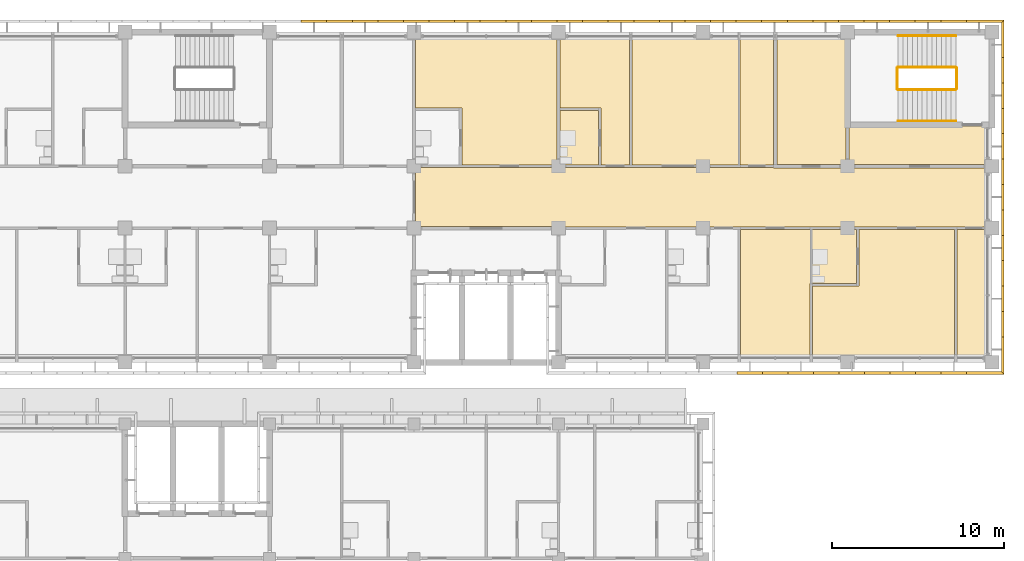
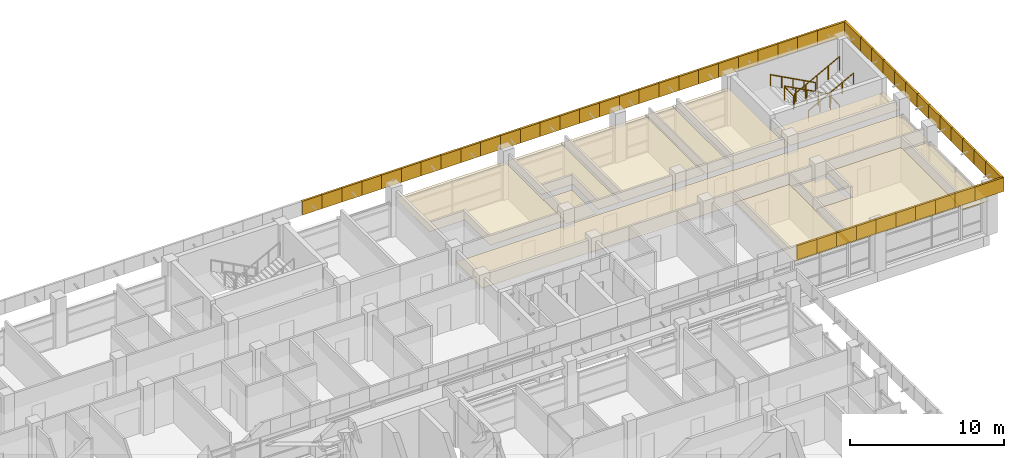
# One storey, part 70 of 71: 62 coverings, 6 railings.
"""IFC4 building model written with IfcOpenShell, lengths in metres."""

from ifc_helpers import new_model, si_unit, direction, frame, origin, origin_2d, place, context, subcontext, project, spatial, polyline, circle, outline, extrude, material, layer, layer_set, type_object, element, save


model = new_model("IFC4")

# Units and contexts
model_context = context("Model", 3, precision=1e-05, world=origin(), true_north=direction((0.0, 1.0)))
body_context = subcontext(model_context, "Body", "Model", "MODEL_VIEW")
ifc_project = project(units=[si_unit("LENGTHUNIT", "METRE"), si_unit("AREAUNIT", "SQUARE_METRE"), si_unit("VOLUMEUNIT", "CUBIC_METRE"), si_unit("PLANEANGLEUNIT", "RADIAN"), si_unit("MASSUNIT", "GRAM", prefix="KILO")], contexts=[model_context])

# Site, building, storey
site_placement = place(None, origin())
site = spatial("IfcSite", under=ifc_project, at=site_placement, CompositionType="ELEMENT")
building_placement = place(site_placement, origin())
building = spatial("IfcBuilding", under=site, at=building_placement, Name="Bougainvillea Quay General Hospital", CompositionType="ELEMENT")
storey_placement = place(building_placement, frame((0.0, 0.0, 24.89990234375)))
storey = spatial("IfcBuildingStorey", under=building, at=storey_placement, Name="L05", CompositionType="ELEMENT", Elevation=24.89990234375)

# Coverings
ifc_material_1 = material(Name="Powder-coated aluminium fascia, white", Category="aluminium")
ifc_layer_1 = layer(ifc_material_1, 0.14990234375)
ifc_layer_set_1 = layer_set([ifc_layer_1], Name="Powder-coated aluminium fascia, white")
covering_type_1 = type_object("IfcCoveringType", Name="Aluminium fascia band white 150x1100", PredefinedType="CLADDING", material=ifc_layer_set_1)
covering_1_placement = place(storey_placement, frame((185.35009765625, 160.14990234375, 3.35009765625), z_axis=(0.0, 0.0, 1.0), x_axis=(-1.0, 0.0, 0.0)))
element("IfcCovering", 1, at=covering_1_placement, inside=storey, type_object=covering_type_1, Name="Fascia band white e0 1", PredefinedType="CLADDING", context=body_context, shape_type="SweptSolid", body=[
    extrude(outline(polyline([(0.0, 0.0), (2.03759765625, 0.0), (2.03759765625, -0.150146484375), (-0.14990234375, -0.150146484375), (0.0, 0.0)])), origin(), (0.0, 0.0, 1.0), 1.10009765625),
])
for number, where, z_axis, x_axis, name in (
    (2, (183.3125, 160.14990234375, 3.35009765625), (0.0, 0.0, 1.0), (-1.0, 0.0, 0.0), "Fascia band white e0 2"),
    (3, (181.824951171875, 160.14990234375, 3.35009765625), (0.0, 0.0, 1.0), (-1.0, 0.0, 0.0), "Fascia band white e0 3"),
):
    element("IfcCovering", number, at=place(storey_placement, frame(where, z_axis=z_axis, x_axis=x_axis)), inside=storey, type_object=covering_type_1, Name=name, PredefinedType="CLADDING", context=body_context, shape_type="SweptSolid", body=[
        extrude(outline(polyline([(0.0, 0.0), (1.487548828125, 0.0), (1.487548828125, -0.150146484375), (0.0, -0.150146484375), (0.0, 0.0)])), origin(), (0.0, 0.0, 1.0), 1.10009765625),
    ])
covering_2_placement = place(storey_placement, frame((180.33740234375, 160.14990234375, 3.35009765625), z_axis=(0.0, 0.0, 1.0), x_axis=(-1.0, 0.0, 0.0)))
element("IfcCovering", 4, at=covering_2_placement, inside=storey, type_object=covering_type_1, Name="Fascia band white e0 4", PredefinedType="CLADDING", context=body_context, shape_type="SweptSolid", body=[
    extrude(outline(polyline([(0.0, 0.0), (1.4873046875, 0.0), (1.4873046875, -0.150146484375), (0.0, -0.150146484375), (0.0, 0.0)])), origin(), (0.0, 0.0, 1.0), 1.10009765625),
])
for number, where, z_axis, x_axis, name in (
    (5, (178.85009765625, 160.14990234375, 3.35009765625), (0.0, 0.0, 1.0), (-1.0, 0.0, 0.0), "Fascia band white e0 5"),
    (6, (177.362548828125, 160.14990234375, 3.35009765625), (0.0, 0.0, 1.0), (-1.0, 0.0, 0.0), "Fascia band white e0 6"),
    (7, (175.875, 160.14990234375, 3.35009765625), (0.0, 0.0, 1.0), (-1.0, 0.0, 0.0), "Fascia band white e0 7"),
    (8, (174.387451171875, 160.14990234375, 3.35009765625), (0.0, 0.0, 1.0), (-1.0, 0.0, 0.0), "Fascia band white e0 8"),
):
    element("IfcCovering", number, at=place(storey_placement, frame(where, z_axis=z_axis, x_axis=x_axis)), inside=storey, type_object=covering_type_1, Name=name, PredefinedType="CLADDING", context=body_context, shape_type="SweptSolid", body=[
        extrude(outline(polyline([(0.0, 0.0), (1.487548828125, 0.0), (1.487548828125, -0.150146484375), (0.0, -0.150146484375), (0.0, 0.0)])), origin(), (0.0, 0.0, 1.0), 1.10009765625),
    ])
covering_3_placement = place(storey_placement, frame((172.89990234375, 160.14990234375, 3.35009765625), z_axis=(0.0, 0.0, 1.0), x_axis=(-1.0, 0.0, 0.0)))
element("IfcCovering", 9, at=covering_3_placement, inside=storey, type_object=covering_type_1, Name="Fascia band white e0 9", PredefinedType="CLADDING", context=body_context, shape_type="SweptSolid", body=[
    extrude(outline(polyline([(0.0, 0.0), (1.4873046875, 0.0), (1.4873046875, -0.150146484375), (0.0, -0.150146484375), (0.0, 0.0)])), origin(), (0.0, 0.0, 1.0), 1.10009765625),
])
for number, where, z_axis, x_axis, name in (
    (10, (171.41259765625, 160.14990234375, 3.35009765625), (0.0, 0.0, 1.0), (-1.0, 0.0, 0.0), "Fascia band white e0 10"),
    (11, (169.925048828125, 160.14990234375, 3.35009765625), (0.0, 0.0, 1.0), (-1.0, 0.0, 0.0), "Fascia band white e0 11"),
    (12, (168.4375, 160.14990234375, 3.35009765625), (0.0, 0.0, 1.0), (-1.0, 0.0, 0.0), "Fascia band white e0 12"),
    (13, (166.949951171875, 160.14990234375, 3.35009765625), (0.0, 0.0, 1.0), (-1.0, 0.0, 0.0), "Fascia band white e0 13"),
):
    element("IfcCovering", number, at=place(storey_placement, frame(where, z_axis=z_axis, x_axis=x_axis)), inside=storey, type_object=covering_type_1, Name=name, PredefinedType="CLADDING", context=body_context, shape_type="SweptSolid", body=[
        extrude(outline(polyline([(0.0, 0.0), (1.487548828125, 0.0), (1.487548828125, -0.150146484375), (0.0, -0.150146484375), (0.0, 0.0)])), origin(), (0.0, 0.0, 1.0), 1.10009765625),
    ])
covering_4_placement = place(storey_placement, frame((165.46240234375, 160.14990234375, 3.35009765625), z_axis=(0.0, 0.0, 1.0), x_axis=(-1.0, 0.0, 0.0)))
element("IfcCovering", 14, at=covering_4_placement, inside=storey, type_object=covering_type_1, Name="Fascia band white e0 14", PredefinedType="CLADDING", context=body_context, shape_type="SweptSolid", body=[
    extrude(outline(polyline([(0.0, 0.0), (1.4873046875, 0.0), (1.4873046875, -0.150146484375), (0.0, -0.150146484375), (0.0, 0.0)])), origin(), (0.0, 0.0, 1.0), 1.10009765625),
])
for number, where, z_axis, x_axis, name in (
    (15, (163.97509765625, 160.14990234375, 3.35009765625), (0.0, 0.0, 1.0), (-1.0, 0.0, 0.0), "Fascia band white e0 15"),
    (16, (162.487548828125, 160.14990234375, 3.35009765625), (0.0, 0.0, 1.0), (-1.0, 0.0, 0.0), "Fascia band white e0 16"),
    (17, (161.0, 160.14990234375, 3.35009765625), (0.0, 0.0, 1.0), (-1.0, 0.0, 0.0), "Fascia band white e0 17"),
    (18, (159.512451171875, 160.14990234375, 3.35009765625), (0.0, 0.0, 1.0), (-1.0, 0.0, 0.0), "Fascia band white e0 18"),
):
    element("IfcCovering", number, at=place(storey_placement, frame(where, z_axis=z_axis, x_axis=x_axis)), inside=storey, type_object=covering_type_1, Name=name, PredefinedType="CLADDING", context=body_context, shape_type="SweptSolid", body=[
        extrude(outline(polyline([(0.0, 0.0), (1.487548828125, 0.0), (1.487548828125, -0.150146484375), (0.0, -0.150146484375), (0.0, 0.0)])), origin(), (0.0, 0.0, 1.0), 1.10009765625),
    ])
covering_5_placement = place(storey_placement, frame((158.02490234375, 160.14990234375, 3.35009765625), z_axis=(0.0, 0.0, 1.0), x_axis=(-1.0, 0.0, 0.0)))
element("IfcCovering", 19, at=covering_5_placement, inside=storey, type_object=covering_type_1, Name="Fascia band white e0 19", PredefinedType="CLADDING", context=body_context, shape_type="SweptSolid", body=[
    extrude(outline(polyline([(0.0, 0.0), (1.4873046875, 0.0), (1.4873046875, -0.150146484375), (0.0, -0.150146484375), (0.0, 0.0)])), origin(), (0.0, 0.0, 1.0), 1.10009765625),
])
for number, where, z_axis, x_axis, name in (
    (20, (156.53759765625, 160.14990234375, 3.35009765625), (0.0, 0.0, 1.0), (-1.0, 0.0, 0.0), "Fascia band white e0 20"),
    (21, (155.050048828125, 160.14990234375, 3.35009765625), (0.0, 0.0, 1.0), (-1.0, 0.0, 0.0), "Fascia band white e0 21"),
    (22, (153.5625, 160.14990234375, 3.35009765625), (0.0, 0.0, 1.0), (-1.0, 0.0, 0.0), "Fascia band white e0 22"),
    (23, (152.074951171875, 160.14990234375, 3.35009765625), (0.0, 0.0, 1.0), (-1.0, 0.0, 0.0), "Fascia band white e0 23"),
):
    element("IfcCovering", number, at=place(storey_placement, frame(where, z_axis=z_axis, x_axis=x_axis)), inside=storey, type_object=covering_type_1, Name=name, PredefinedType="CLADDING", context=body_context, shape_type="SweptSolid", body=[
        extrude(outline(polyline([(0.0, 0.0), (1.487548828125, 0.0), (1.487548828125, -0.150146484375), (0.0, -0.150146484375), (0.0, 0.0)])), origin(), (0.0, 0.0, 1.0), 1.10009765625),
    ])
covering_6_placement = place(storey_placement, frame((150.58740234375, 160.14990234375, 3.35009765625), z_axis=(0.0, 0.0, 1.0), x_axis=(-1.0, 0.0, 0.0)))
element("IfcCovering", 24, at=covering_6_placement, inside=storey, type_object=covering_type_1, Name="Fascia band white e0 24", PredefinedType="CLADDING", context=body_context, shape_type="SweptSolid", body=[
    extrude(outline(polyline([(0.0, 0.0), (1.4873046875, 0.0), (1.4873046875, -0.150146484375), (0.0, -0.150146484375), (0.0, 0.0)])), origin(), (0.0, 0.0, 1.0), 1.10009765625),
])
for number, where, z_axis, x_axis, name in (
    (25, (149.10009765625, 160.14990234375, 3.35009765625), (0.0, 0.0, 1.0), (-1.0, 0.0, 0.0), "Fascia band white e0 25"),
    (26, (147.612548828125, 160.14990234375, 3.35009765625), (0.0, 0.0, 1.0), (-1.0, 0.0, 0.0), "Fascia band white e0 26"),
    (27, (146.125, 160.14990234375, 3.35009765625), (0.0, 0.0, 1.0), (-1.0, 0.0, 0.0), "Fascia band white e0 27"),
):
    element("IfcCovering", number, at=place(storey_placement, frame(where, z_axis=z_axis, x_axis=x_axis)), inside=storey, type_object=covering_type_1, Name=name, PredefinedType="CLADDING", context=body_context, shape_type="SweptSolid", body=[
        extrude(outline(polyline([(0.0, 0.0), (1.487548828125, 0.0), (1.487548828125, -0.150146484375), (0.0, -0.150146484375), (0.0, 0.0)])), origin(), (0.0, 0.0, 1.0), 1.10009765625),
    ])
covering_7_placement = place(storey_placement, frame((169.9765625, 139.85009765625, 3.35009765625), z_axis=(0.0, 0.0, 1.0), x_axis=(1.0, 0.0, 0.0)))
element("IfcCovering", 28, at=covering_7_placement, inside=storey, type_object=covering_type_1, Name="Fascia band white e0 213", PredefinedType="CLADDING", context=body_context, shape_type="SweptSolid", body=[
    extrude(outline(polyline([(0.0, 0.0), (1.482177734375, 0.0), (1.482177734375, -0.150146484375), (0.0, -0.150146484375), (0.0, 0.0)])), origin(), (0.0, 0.0, 1.0), 1.10009765625),
])
for number, where, z_axis, x_axis, name in (
    (29, (171.458740234375, 139.85009765625, 3.35009765625), (0.0, 0.0, 1.0), (1.0, 0.0, 0.0), "Fascia band white e0 214"),
    (30, (172.941162109375, 139.85009765625, 3.35009765625), (0.0, 0.0, 1.0), (1.0, 0.0, 0.0), "Fascia band white e0 215"),
):
    element("IfcCovering", number, at=place(storey_placement, frame(where, z_axis=z_axis, x_axis=x_axis)), inside=storey, type_object=covering_type_1, Name=name, PredefinedType="CLADDING", context=body_context, shape_type="SweptSolid", body=[
        extrude(outline(polyline([(0.0, 0.0), (1.482421875, 0.0), (1.482421875, -0.150146484375), (0.0, -0.150146484375), (0.0, 0.0)])), origin(), (0.0, 0.0, 1.0), 1.10009765625),
    ])
covering_8_placement = place(storey_placement, frame((174.423583984375, 139.85009765625, 3.35009765625), z_axis=(0.0, 0.0, 1.0), x_axis=(1.0, 0.0, 0.0)))
element("IfcCovering", 31, at=covering_8_placement, inside=storey, type_object=covering_type_1, Name="Fascia band white e0 216", PredefinedType="CLADDING", context=body_context, shape_type="SweptSolid", body=[
    extrude(outline(polyline([(0.0, 0.0), (1.482177734375, 0.0), (1.482177734375, -0.150146484375), (0.0, -0.150146484375), (0.0, 0.0)])), origin(), (0.0, 0.0, 1.0), 1.10009765625),
])
for number, where, z_axis, x_axis, name in (
    (32, (175.90576171875, 139.85009765625, 3.35009765625), (0.0, 0.0, 1.0), (1.0, 0.0, 0.0), "Fascia band white e0 217"),
    (33, (177.38818359375, 139.85009765625, 3.35009765625), (0.0, 0.0, 1.0), (1.0, 0.0, 0.0), "Fascia band white e0 218"),
    (34, (178.87060546875, 139.85009765625, 3.35009765625), (0.0, 0.0, 1.0), (1.0, 0.0, 0.0), "Fascia band white e0 219"),
):
    element("IfcCovering", number, at=place(storey_placement, frame(where, z_axis=z_axis, x_axis=x_axis)), inside=storey, type_object=covering_type_1, Name=name, PredefinedType="CLADDING", context=body_context, shape_type="SweptSolid", body=[
        extrude(outline(polyline([(0.0, 0.0), (1.482421875, 0.0), (1.482421875, -0.150146484375), (0.0, -0.150146484375), (0.0, 0.0)])), origin(), (0.0, 0.0, 1.0), 1.10009765625),
    ])
covering_9_placement = place(storey_placement, frame((180.35302734375, 139.85009765625, 3.35009765625), z_axis=(0.0, 0.0, 1.0), x_axis=(1.0, 0.0, 0.0)))
element("IfcCovering", 35, at=covering_9_placement, inside=storey, type_object=covering_type_1, Name="Fascia band white e0 220", PredefinedType="CLADDING", context=body_context, shape_type="SweptSolid", body=[
    extrude(outline(polyline([(0.0, 0.0), (1.482177734375, 0.0), (1.482177734375, -0.150146484375), (0.0, -0.150146484375), (0.0, 0.0)])), origin(), (0.0, 0.0, 1.0), 1.10009765625),
])
covering_10_placement = place(storey_placement, frame((181.835205078125, 139.85009765625, 3.35009765625), z_axis=(0.0, 0.0, 1.0), x_axis=(1.0, 0.0, 0.0)))
element("IfcCovering", 36, at=covering_10_placement, inside=storey, type_object=covering_type_1, Name="Fascia band white e0 221", PredefinedType="CLADDING", context=body_context, shape_type="SweptSolid", body=[
    extrude(outline(polyline([(0.0, 0.0), (1.482421875, 0.0), (1.482421875, -0.150146484375), (0.0, -0.150146484375), (0.0, 0.0)])), origin(), (0.0, 0.0, 1.0), 1.10009765625),
])
covering_11_placement = place(storey_placement, frame((183.317626953125, 139.85009765625, 3.35009765625), z_axis=(0.0, 0.0, 1.0), x_axis=(1.0, 0.0, 0.0)))
element("IfcCovering", 37, at=covering_11_placement, inside=storey, type_object=covering_type_1, Name="Fascia band white e0 222", PredefinedType="CLADDING", context=body_context, shape_type="SweptSolid", body=[
    extrude(outline(polyline([(0.0, 0.0), (2.032470703125, 0.0), (2.182373046875, -0.150146484375), (0.0, -0.150146484375), (0.0, 0.0)])), origin(), (0.0, 0.0, 1.0), 1.10009765625),
])
covering_12_placement = place(storey_placement, frame((185.35009765625, 139.85009765625, 3.35009765625), z_axis=(0.0, 0.0, 1.0), x_axis=(0.0, 1.0, 0.0)))
element("IfcCovering", 38, at=covering_12_placement, inside=storey, type_object=covering_type_1, Name="Fascia band white e0 223", PredefinedType="CLADDING", context=body_context, shape_type="SweptSolid", body=[
    extrude(outline(polyline([(0.0, 0.0), (2.02685546875, 0.0), (2.02685546875, -0.14990234375), (-0.150146484375, -0.14990234375), (0.0, 0.0)])), origin(), (0.0, 0.0, 1.0), 1.10009765625),
])
covering_13_placement = place(storey_placement, frame((185.35009765625, 141.876953125, 3.35009765625), z_axis=(0.0, 0.0, 1.0), x_axis=(0.0, 1.0, 0.0)))
element("IfcCovering", 39, at=covering_13_placement, inside=storey, type_object=covering_type_1, Name="Fascia band white e0 224", PredefinedType="CLADDING", context=body_context, shape_type="SweptSolid", body=[
    extrude(outline(polyline([(0.0, 0.0), (1.476806640625, 0.0), (1.476806640625, -0.14990234375), (0.0, -0.14990234375), (0.0, 0.0)])), origin(), (0.0, 0.0, 1.0), 1.10009765625),
])
covering_14_placement = place(storey_placement, frame((185.35009765625, 143.353759765625, 3.35009765625), z_axis=(0.0, 0.0, 1.0), x_axis=(0.0, 1.0, 0.0)))
element("IfcCovering", 40, at=covering_14_placement, inside=storey, type_object=covering_type_1, Name="Fascia band white e0 225", PredefinedType="CLADDING", context=body_context, shape_type="SweptSolid", body=[
    extrude(outline(polyline([(0.0, 0.0), (1.47705078125, 0.0), (1.47705078125, -0.14990234375), (0.0, -0.14990234375), (0.0, 0.0)])), origin(), (0.0, 0.0, 1.0), 1.10009765625),
])
covering_15_placement = place(storey_placement, frame((185.35009765625, 144.830810546875, 3.35009765625), z_axis=(0.0, 0.0, 1.0), x_axis=(0.0, 1.0, 0.0)))
element("IfcCovering", 41, at=covering_15_placement, inside=storey, type_object=covering_type_1, Name="Fascia band white e0 226", PredefinedType="CLADDING", context=body_context, shape_type="SweptSolid", body=[
    extrude(outline(polyline([(0.0, 0.0), (1.476806640625, 0.0), (1.476806640625, -0.14990234375), (0.0, -0.14990234375), (0.0, 0.0)])), origin(), (0.0, 0.0, 1.0), 1.10009765625),
])
covering_16_placement = place(storey_placement, frame((185.35009765625, 146.3076171875, 3.35009765625), z_axis=(0.0, 0.0, 1.0), x_axis=(0.0, 1.0, 0.0)))
element("IfcCovering", 42, at=covering_16_placement, inside=storey, type_object=covering_type_1, Name="Fascia band white e0 227", PredefinedType="CLADDING", context=body_context, shape_type="SweptSolid", body=[
    extrude(outline(polyline([(0.0, 0.0), (1.47705078125, 0.0), (1.47705078125, -0.14990234375), (0.0, -0.14990234375), (0.0, 0.0)])), origin(), (0.0, 0.0, 1.0), 1.10009765625),
])
covering_17_placement = place(storey_placement, frame((185.35009765625, 147.78466796875, 3.35009765625), z_axis=(0.0, 0.0, 1.0), x_axis=(0.0, 1.0, 0.0)))
element("IfcCovering", 43, at=covering_17_placement, inside=storey, type_object=covering_type_1, Name="Fascia band white e0 228", PredefinedType="CLADDING", context=body_context, shape_type="SweptSolid", body=[
    extrude(outline(polyline([(0.0, 0.0), (1.476806640625, 0.0), (1.476806640625, -0.14990234375), (0.0, -0.14990234375), (0.0, 0.0)])), origin(), (0.0, 0.0, 1.0), 1.10009765625),
])
covering_18_placement = place(storey_placement, frame((185.35009765625, 149.261474609375, 3.35009765625), z_axis=(0.0, 0.0, 1.0), x_axis=(0.0, 1.0, 0.0)))
element("IfcCovering", 44, at=covering_18_placement, inside=storey, type_object=covering_type_1, Name="Fascia band white e0 229", PredefinedType="CLADDING", context=body_context, shape_type="SweptSolid", body=[
    extrude(outline(polyline([(0.0, 0.0), (1.47705078125, 0.0), (1.47705078125, -0.14990234375), (0.0, -0.14990234375), (0.0, 0.0)])), origin(), (0.0, 0.0, 1.0), 1.10009765625),
])
covering_19_placement = place(storey_placement, frame((185.35009765625, 150.738525390625, 3.35009765625), z_axis=(0.0, 0.0, 1.0), x_axis=(0.0, 1.0, 0.0)))
element("IfcCovering", 45, at=covering_19_placement, inside=storey, type_object=covering_type_1, Name="Fascia band white e0 230", PredefinedType="CLADDING", context=body_context, shape_type="SweptSolid", body=[
    extrude(outline(polyline([(0.0, 0.0), (1.476806640625, 0.0), (1.476806640625, -0.14990234375), (0.0, -0.14990234375), (0.0, 0.0)])), origin(), (0.0, 0.0, 1.0), 1.10009765625),
])
covering_20_placement = place(storey_placement, frame((185.35009765625, 152.21533203125, 3.35009765625), z_axis=(0.0, 0.0, 1.0), x_axis=(0.0, 1.0, 0.0)))
element("IfcCovering", 46, at=covering_20_placement, inside=storey, type_object=covering_type_1, Name="Fascia band white e0 231", PredefinedType="CLADDING", context=body_context, shape_type="SweptSolid", body=[
    extrude(outline(polyline([(0.0, 0.0), (1.47705078125, 0.0), (1.47705078125, -0.14990234375), (0.0, -0.14990234375), (0.0, 0.0)])), origin(), (0.0, 0.0, 1.0), 1.10009765625),
])
covering_21_placement = place(storey_placement, frame((185.35009765625, 153.6923828125, 3.35009765625), z_axis=(0.0, 0.0, 1.0), x_axis=(0.0, 1.0, 0.0)))
element("IfcCovering", 47, at=covering_21_placement, inside=storey, type_object=covering_type_1, Name="Fascia band white e0 232", PredefinedType="CLADDING", context=body_context, shape_type="SweptSolid", body=[
    extrude(outline(polyline([(0.0, 0.0), (1.476806640625, 0.0), (1.476806640625, -0.14990234375), (0.0, -0.14990234375), (0.0, 0.0)])), origin(), (0.0, 0.0, 1.0), 1.10009765625),
])
covering_22_placement = place(storey_placement, frame((185.35009765625, 155.169189453125, 3.35009765625), z_axis=(0.0, 0.0, 1.0), x_axis=(0.0, 1.0, 0.0)))
element("IfcCovering", 48, at=covering_22_placement, inside=storey, type_object=covering_type_1, Name="Fascia band white e0 233", PredefinedType="CLADDING", context=body_context, shape_type="SweptSolid", body=[
    extrude(outline(polyline([(0.0, 0.0), (1.47705078125, 0.0), (1.47705078125, -0.14990234375), (0.0, -0.14990234375), (0.0, 0.0)])), origin(), (0.0, 0.0, 1.0), 1.10009765625),
])
covering_23_placement = place(storey_placement, frame((185.35009765625, 156.646240234375, 3.35009765625), z_axis=(0.0, 0.0, 1.0), x_axis=(0.0, 1.0, 0.0)))
element("IfcCovering", 49, at=covering_23_placement, inside=storey, type_object=covering_type_1, Name="Fascia band white e0 234", PredefinedType="CLADDING", context=body_context, shape_type="SweptSolid", body=[
    extrude(outline(polyline([(0.0, 0.0), (1.476806640625, 0.0), (1.476806640625, -0.14990234375), (0.0, -0.14990234375), (0.0, 0.0)])), origin(), (0.0, 0.0, 1.0), 1.10009765625),
])
covering_24_placement = place(storey_placement, frame((185.35009765625, 158.123046875, 3.35009765625), z_axis=(0.0, 0.0, 1.0), x_axis=(0.0, 1.0, 0.0)))
element("IfcCovering", 50, at=covering_24_placement, inside=storey, type_object=covering_type_1, Name="Fascia band white e0 235", PredefinedType="CLADDING", context=body_context, shape_type="SweptSolid", body=[
    extrude(outline(polyline([(0.0, 0.0), (2.02685546875, 0.0), (2.177001953125, -0.14990234375), (0.0, -0.14990234375), (0.0, 0.0)])), origin(), (0.0, 0.0, 1.0), 1.10009765625),
])

# Railings
ifc_material_2 = material(Name="Stainless steel 304 balustrade", Category="steel")
railing_type_1 = type_object("IfcRailingType", Name="Stair guard 1100", PredefinedType="GUARDRAIL", material=ifc_material_2)
railing_1_placement = place(storey_placement, frame((182.699951171875, 157.550048828125, 0.150146484375)))
element("IfcRailing", 51, at=railing_1_placement, inside=storey, type_object=railing_type_1, Name="L05 ST-A4 stair guard 1", PredefinedType="GUARDRAIL", context=body_context, shape_type="SweptSolid", body=[
    extrude(circle(Radius=0.02392578125, at=origin_2d()), frame((0.0, 0.0, 1.076171875), z_axis=(-0.881466638993, 0.0, 0.472246296272), x_axis=(0.0, -1.0, 0.0)), (0.0, 0.0, 1.0), 3.811767578125),
    extrude(circle(Radius=0.02099609375, at=origin_2d()), origin(), (0.0, 0.0, 1.0), 1.052001953125),
    extrude(circle(Radius=0.02099609375, at=origin_2d()), frame((-0.83984375, 0.0, 0.449951171875)), (0.0, 0.0, 1.0), 1.052001953125),
    extrude(circle(Radius=0.02099609375, at=origin_2d()), frame((-1.679931640625, 0.0, 0.89990234375)), (0.0, 0.0, 1.0), 1.052001953125),
    extrude(circle(Radius=0.02099609375, at=origin_2d()), frame((-2.52001953125, 0.0, 1.35009765625)), (0.0, 0.0, 1.0), 1.052001953125),
    extrude(circle(Radius=0.02099609375, at=origin_2d()), frame((-3.35986328125, 0.0, 1.800048828125)), (0.0, 0.0, 1.0), 1.052001953125),
])
railing_2_placement = place(storey_placement, frame((179.2900390625, 157.5, 1.9501953125)))
element("IfcRailing", 52, at=railing_2_placement, inside=storey, type_object=railing_type_1, Name="L05 ST-A4 stair guard 2", PredefinedType="GUARDRAIL", context=body_context, shape_type="SweptSolid", body=[
    extrude(circle(Radius=0.02392578125, at=origin_2d()), frame((0.0, 0.0, 1.076171875), z_axis=(0.0, -1.0, 0.0), x_axis=(1.0, 0.0, 0.0)), (0.0, 0.0, 1.0), 1.199951171875),
    extrude(circle(Radius=0.02099609375, at=origin_2d()), origin(), (0.0, 0.0, 1.0), 1.052001953125),
    extrude(circle(Radius=0.02099609375, at=origin_2d()), frame((0.0, -1.199951171875, 0.0)), (0.0, 0.0, 1.0), 1.052001953125),
])
railing_3_placement = place(storey_placement, frame((179.340087890625, 156.25, 2.10009765625)))
element("IfcRailing", 53, at=railing_3_placement, inside=storey, type_object=railing_type_1, Name="L05 ST-A4 stair guard 3", PredefinedType="GUARDRAIL", context=body_context, shape_type="SweptSolid", body=[
    extrude(circle(Radius=0.02392578125, at=origin_2d()), frame((0.0, 0.0, 1.076171875), z_axis=(0.881466638993, 0.0, 0.472246296272), x_axis=(0.0, 1.0, 0.0)), (0.0, 0.0, 1.0), 3.811767578125),
    extrude(circle(Radius=0.02099609375, at=origin_2d()), origin(), (0.0, 0.0, 1.0), 1.052001953125),
    extrude(circle(Radius=0.02099609375, at=origin_2d()), frame((0.83984375, 0.0, 0.449951171875)), (0.0, 0.0, 1.0), 1.052001953125),
    extrude(circle(Radius=0.02099609375, at=origin_2d()), frame((1.679931640625, 0.0, 0.89990234375)), (0.0, 0.0, 1.0), 1.052001953125),
    extrude(circle(Radius=0.02099609375, at=origin_2d()), frame((2.52001953125, 0.0, 1.35009765625)), (0.0, 0.0, 1.0), 1.052001953125),
    extrude(circle(Radius=0.02099609375, at=origin_2d()), frame((3.35986328125, 0.0, 1.800048828125)), (0.0, 0.0, 1.0), 1.052001953125),
])
railing_4_placement = place(storey_placement, frame((182.75, 157.5, 0.0)))
element("IfcRailing", 54, at=railing_4_placement, inside=storey, type_object=railing_type_1, Name="L05 ST-A4 stair guard 4", PredefinedType="GUARDRAIL", context=body_context, shape_type="SweptSolid", body=[
    extrude(circle(Radius=0.02392578125, at=origin_2d()), frame((0.0, 0.0, 1.076171875), z_axis=(0.0, -1.0, 0.0), x_axis=(1.0, 0.0, 0.0)), (0.0, 0.0, 1.0), 1.199951171875),
    extrude(circle(Radius=0.02099609375, at=origin_2d()), origin(), (0.0, 0.0, 1.0), 1.052001953125),
    extrude(circle(Radius=0.02099609375, at=origin_2d()), frame((0.0, -1.199951171875, 0.0)), (0.0, 0.0, 1.0), 1.052001953125),
])
ifc_material_3 = material(Name="Stainless steel 304 handrail", Category="steel")
railing_type_2 = type_object("IfcRailingType", Name="Stair handrail 900", PredefinedType="HANDRAIL", material=ifc_material_3)
railing_5_placement = place(storey_placement, frame((182.699951171875, 159.375, 0.150146484375)))
element("IfcRailing", 55, at=railing_5_placement, inside=storey, type_object=railing_type_2, Name="L05 ST-A4 stair handrail 1", PredefinedType="HANDRAIL", context=body_context, shape_type="SweptSolid", body=[
    extrude(circle(Radius=0.02392578125, at=origin_2d()), frame((0.0, 0.0, 0.8759765625), z_axis=(-0.881466638993, 0.0, 0.472246296272), x_axis=(0.0, -1.0, 0.0)), (0.0, 0.0, 1.0), 3.811767578125),
    extrude(circle(Radius=0.02099609375, at=origin_2d()), origin(), (0.0, 0.0, 1.0), 0.851806640625),
    extrude(circle(Radius=0.02099609375, at=origin_2d()), frame((-0.83984375, 0.0, 0.449951171875)), (0.0, 0.0, 1.0), 0.851806640625),
    extrude(circle(Radius=0.02099609375, at=origin_2d()), frame((-1.679931640625, 0.0, 0.89990234375)), (0.0, 0.0, 1.0), 0.851806640625),
    extrude(circle(Radius=0.02099609375, at=origin_2d()), frame((-2.52001953125, 0.0, 1.35009765625)), (0.0, 0.0, 1.0), 0.851806640625),
    extrude(circle(Radius=0.02099609375, at=origin_2d()), frame((-3.35986328125, 0.0, 1.800048828125)), (0.0, 0.0, 1.0), 0.851806640625),
])
railing_6_placement = place(storey_placement, frame((179.340087890625, 154.425048828125, 2.10009765625)))
element("IfcRailing", 56, at=railing_6_placement, inside=storey, type_object=railing_type_2, Name="L05 ST-A4 stair handrail 2", PredefinedType="HANDRAIL", context=body_context, shape_type="SweptSolid", body=[
    extrude(circle(Radius=0.02392578125, at=origin_2d()), frame((0.0, 0.0, 0.8759765625), z_axis=(0.881466638993, 0.0, 0.472246296272), x_axis=(0.0, 1.0, 0.0)), (0.0, 0.0, 1.0), 3.811767578125),
    extrude(circle(Radius=0.02099609375, at=origin_2d()), origin(), (0.0, 0.0, 1.0), 0.851806640625),
    extrude(circle(Radius=0.02099609375, at=origin_2d()), frame((0.83984375, 0.0, 0.449951171875)), (0.0, 0.0, 1.0), 0.851806640625),
    extrude(circle(Radius=0.02099609375, at=origin_2d()), frame((1.679931640625, 0.0, 0.89990234375)), (0.0, 0.0, 1.0), 0.851806640625),
    extrude(circle(Radius=0.02099609375, at=origin_2d()), frame((2.52001953125, 0.0, 1.35009765625)), (0.0, 0.0, 1.0), 0.851806640625),
    extrude(circle(Radius=0.02099609375, at=origin_2d()), frame((3.35986328125, 0.0, 1.800048828125)), (0.0, 0.0, 1.0), 0.851806640625),
])

# Coverings
ifc_material_4 = material(Name="Mineral fibre ceiling tile")
ifc_layer_2 = layer(ifc_material_4, 0.030029296875)
ifc_layer_set_2 = layer_set([ifc_layer_2], Name="Mineral fibre ceiling tile")
covering_type_2 = type_object("IfcCoveringType", Name="Suspended ceiling mineral fibre tile", PredefinedType="CEILING", material=ifc_layer_set_2)
covering_25_placement = place(storey_placement, frame((0.0, 0.0, 2.7001953125)))
element("IfcCovering", 57, at=covering_25_placement, inside=storey, type_object=covering_type_2, Name="Ceiling Refuge Room RR-A4-L05", PredefinedType="CEILING", context=body_context, shape_type="SweptSolid", body=[
    extrude(outline(polyline([(172.300048828125, 159.60009765625), (172.300048828125, 151.89990234375), (176.300048828125, 151.89990234375), (176.300048828125, 159.60009765625), (172.300048828125, 159.60009765625)])), origin(), (0.0, 0.0, 1.0), 0.02978515625),
])
covering_26_placement = place(storey_placement, frame((0.0, 0.0, 2.7001953125)))
element("IfcCovering", 58, at=covering_26_placement, inside=storey, type_object=covering_type_2, Name="Ceiling Smoke-proof Vestibule ST-A4", PredefinedType="CEILING", context=body_context, shape_type="SweptSolid", body=[
    extrude(outline(polyline([(184.800048828125, 154.10009765625), (176.5, 154.10009765625), (176.5, 151.89990234375), (184.800048828125, 151.89990234375), (184.800048828125, 154.10009765625)])), origin(), (0.0, 0.0, 1.0), 0.02978515625),
])
covering_27_placement = place(storey_placement, frame((0.0, 0.0, 2.7001953125)))
element("IfcCovering", 59, at=covering_27_placement, inside=storey, type_object=covering_type_2, Name="Ceiling Four-bed Ward Room 05A30", PredefinedType="CEILING", context=body_context, shape_type="SweptSolid", body=[
    extrude(outline(polyline([(151.300048828125, 159.60009765625), (151.300048828125, 155.175048828125), (153.97509765625, 155.175048828125), (153.97509765625, 151.875), (159.52490234375, 151.875), (159.52490234375, 159.60009765625), (151.300048828125, 159.60009765625)])), origin(), (0.0, 0.0, 1.0), 0.02978515625),
])
covering_28_placement = place(storey_placement, frame((0.0, 0.0, 2.7001953125)))
element("IfcCovering", 60, at=covering_28_placement, inside=storey, type_object=covering_type_2, Name="Ceiling Patient Room 05A31", PredefinedType="CEILING", context=body_context, shape_type="SweptSolid", body=[
    extrude(outline(polyline([(159.675048828125, 159.60009765625), (159.675048828125, 155.175048828125), (162.074951171875, 155.175048828125), (162.074951171875, 151.875), (163.72509765625, 151.875), (163.72509765625, 159.60009765625), (159.675048828125, 159.60009765625)])), origin(), (0.0, 0.0, 1.0), 0.02978515625),
])
covering_29_placement = place(storey_placement, frame((0.0, 0.0, 2.400146484375)))
element("IfcCovering", 61, at=covering_29_placement, inside=storey, type_object=covering_type_2, Name="Ceiling En-suite 05A31", PredefinedType="CEILING", context=body_context, shape_type="SweptSolid", body=[
    extrude(outline(polyline([(161.925048828125, 155.02490234375), (159.675048828125, 155.02490234375), (159.675048828125, 151.875), (161.925048828125, 151.875), (161.925048828125, 155.02490234375)])), origin(), (0.0, 0.0, 1.0), 0.030029296875),
])
covering_30_placement = place(storey_placement, frame((0.0, 0.0, 2.7001953125)))
element("IfcCovering", 62, at=covering_30_placement, inside=storey, type_object=covering_type_2, Name="Ceiling Nurses' Station 05A32", PredefinedType="CEILING", context=body_context, shape_type="SweptSolid", body=[
    extrude(outline(polyline([(163.875, 159.60009765625), (163.875, 151.875), (170.050048828125, 151.875), (170.050048828125, 159.60009765625), (163.875, 159.60009765625)])), origin(), (0.0, 0.0, 1.0), 0.02978515625),
])
covering_31_placement = place(storey_placement, frame((0.0, 0.0, 2.7001953125)))
element("IfcCovering", 63, at=covering_31_placement, inside=storey, type_object=covering_type_2, Name="Ceiling Dirty Utility and Sluice Room 05A33", PredefinedType="CEILING", context=body_context, shape_type="SweptSolid", body=[
    extrude(outline(polyline([(170.14990234375, 159.60009765625), (170.14990234375, 151.875), (172.10009765625, 151.875), (172.10009765625, 159.60009765625), (170.14990234375, 159.60009765625)])), origin(), (0.0, 0.0, 1.0), 0.02978515625),
])
covering_32_placement = place(storey_placement, frame((0.0, 0.0, 2.7001953125)))
element("IfcCovering", 64, at=covering_32_placement, inside=storey, type_object=covering_type_2, Name="Ceiling Treatment and Clean Utility Room 05A36", PredefinedType="CEILING", context=body_context, shape_type="SweptSolid", body=[
    extrude(outline(polyline([(174.22509765625, 140.39990234375), (174.22509765625, 144.97509765625), (174.25, 144.97509765625), (174.25, 148.125), (170.175048828125, 148.125), (170.175048828125, 140.39990234375), (174.22509765625, 140.39990234375)])), origin(), (0.0, 0.0, 1.0), 0.02978515625),
])
covering_33_placement = place(storey_placement, frame((0.0, 0.0, 2.7001953125)))
element("IfcCovering", 65, at=covering_33_placement, inside=storey, type_object=covering_type_2, Name="Ceiling Four-bed Ward Room 05A37", PredefinedType="CEILING", context=body_context, shape_type="SweptSolid", body=[
    extrude(outline(polyline([(182.625, 140.39990234375), (182.625, 148.125), (177.074951171875, 148.125), (177.074951171875, 144.824951171875), (174.375, 144.824951171875), (174.375, 140.39990234375), (182.625, 140.39990234375)])), origin(), (0.0, 0.0, 1.0), 0.02978515625),
])
covering_34_placement = place(storey_placement, frame((0.0, 0.0, 2.400146484375)))
element("IfcCovering", 66, at=covering_34_placement, inside=storey, type_object=covering_type_2, Name="Ceiling En-suite 05A37", PredefinedType="CEILING", context=body_context, shape_type="SweptSolid", body=[
    extrude(outline(polyline([(174.35009765625, 148.125), (174.35009765625, 144.97509765625), (176.925048828125, 144.97509765625), (176.925048828125, 148.125), (174.35009765625, 148.125)])), origin(), (0.0, 0.0, 1.0), 0.030029296875),
])
covering_35_placement = place(storey_placement, frame((0.0, 0.0, 2.400146484375)))
element("IfcCovering", 67, at=covering_35_placement, inside=storey, type_object=covering_type_2, Name="Ceiling Cleaners' Store 05A38", PredefinedType="CEILING", context=body_context, shape_type="SweptSolid", body=[
    extrude(outline(polyline([(184.800048828125, 148.125), (182.77490234375, 148.125), (182.77490234375, 140.39990234375), (184.800048828125, 140.39990234375), (184.800048828125, 148.125)])), origin(), (0.0, 0.0, 1.0), 0.030029296875),
])
covering_36_placement = place(storey_placement, frame((0.0, 0.0, 2.400146484375)))
element("IfcCovering", 68, at=covering_36_placement, inside=storey, type_object=covering_type_2, Name="Ceiling Ward Corridor A4", PredefinedType="CEILING", context=body_context, shape_type="SweptSolid", body=[
    extrude(outline(polyline([(184.800048828125, 151.699951171875), (172.10009765625, 151.699951171875), (172.10009765625, 151.72509765625), (151.300048828125, 151.72509765625), (151.300048828125, 148.300048828125), (159.699951171875, 148.300048828125), (159.699951171875, 148.27490234375), (184.800048828125, 148.27490234375), (184.800048828125, 151.699951171875)])), origin(), (0.0, 0.0, 1.0), 0.030029296875),
])

save(model, "model.ifc")
